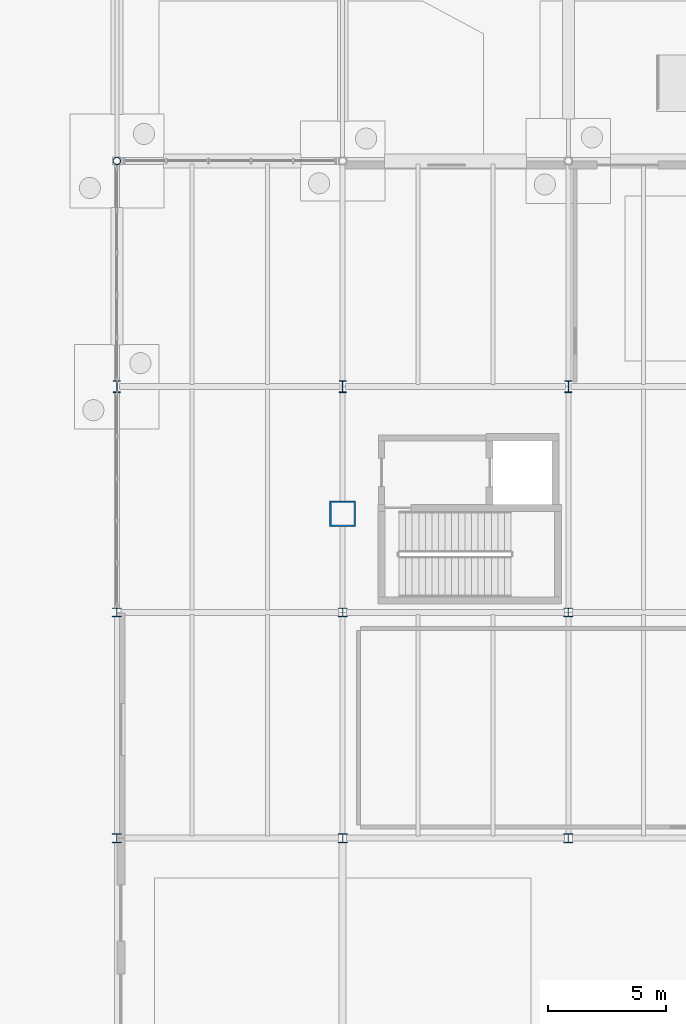
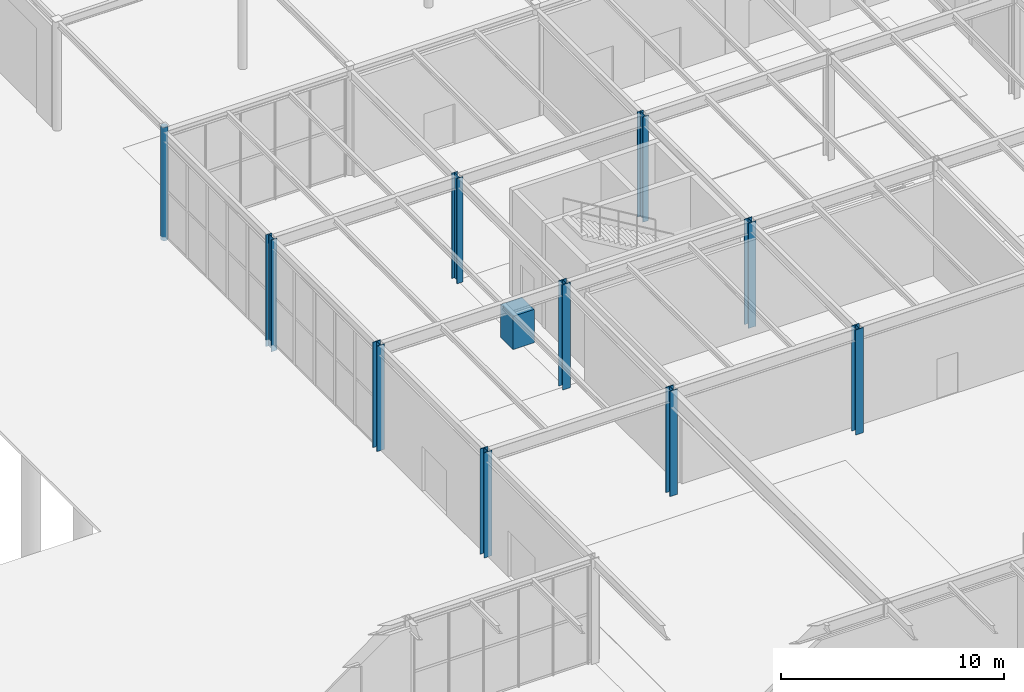
# One storey, part 15 of 142: 11 columns.
"""IFC4 building model written with IfcOpenShell, lengths in metres."""

from ifc_helpers import new_model, si_unit, direction, frame, origin, origin_2d, place, context, subcontext, project, spatial, rectangle, hollow_circle, i_section, extrude, material, material_profile, profile_set, type_object, element, save


model = new_model("IFC4")

# Units and contexts
model_context = context("Model", 3, precision=1e-05, world=origin(), true_north=direction((0.0, 1.0)))
body_context = subcontext(model_context, "Body", "Model", "MODEL_VIEW")
ifc_project = project(units=[si_unit("LENGTHUNIT", "METRE"), si_unit("AREAUNIT", "SQUARE_METRE"), si_unit("VOLUMEUNIT", "CUBIC_METRE"), si_unit("PLANEANGLEUNIT", "RADIAN"), si_unit("MASSUNIT", "GRAM", prefix="KILO")], contexts=[model_context])

# Site, building, storey
site_placement = place(None, origin())
site = spatial("IfcSite", under=ifc_project, at=site_placement, CompositionType="ELEMENT")
building_placement = place(site_placement, origin())
building = spatial("IfcBuilding", under=site, at=building_placement, Name="Coralgate Yard Interchange", CompositionType="ELEMENT")
storey_placement = place(building_placement, origin())
storey = spatial("IfcBuildingStorey", under=building, at=storey_placement, Name="L00", CompositionType="ELEMENT", Elevation=0.0)

# Columns
ifc_material_1 = material(Name="Concrete C40/50", Category="concrete")
ifc_material_profile_1 = material_profile(ifc_material_1, rectangle(XDim=1.10009765625, YDim=1.10009765625, at=origin_2d()), Name="RC 1100x1100")
ifc_profile_set_1 = profile_set([ifc_material_profile_1], Name="Concrete C40/50")
column_type_1 = type_object("IfcColumnType", Name="COL-CC-1", PredefinedType="COLUMN", material=ifc_profile_set_1)
column_1_placement = place(storey_placement, frame((48.0, 81.0, 0.0), z_axis=(0.0, 0.0, 1.0), x_axis=(1.0, 0.0, 0.0)))
element("IfcColumn", 1, at=column_1_placement, inside=storey, type_object=column_type_1, Name="Arch AR-1 N concrete thrust pedestal", PredefinedType="COLUMN", context=body_context, shape_type="SweptSolid", body=[
    extrude(rectangle(XDim=1.10009765625, YDim=1.10009765625, at=origin_2d()), origin(), (0.0, 0.0, 1.0), 1.820068359375),
])
ifc_material_2 = material(Name="Structural steel S355J2", Category="steel")
ifc_material_profile_2 = material_profile(ifc_material_2, i_section(OverallWidth=0.39892578125, OverallDepth=0.3935546875, WebThickness=0.022705078125, FlangeThickness=0.03662109375, FilletRadius=0.01513671875, at=origin_2d()), Name="UC 356x406x287")
ifc_profile_set_2 = profile_set([ifc_material_profile_2], Name="Structural steel S355J2")
column_type_2 = type_object("IfcColumnType", Name="COL-SC-1", PredefinedType="COLUMN", material=ifc_profile_set_2)
for number, where, z_axis, x_axis, name in (
    (2, (38.39990234375, 67.199951171875, 0.0), (0.0, 0.0, 1.0), (1.0, 0.0, 0.0), "L00 structural column 4-7"),
    (3, (38.39990234375, 76.800048828125, 0.0), (0.0, 0.0, 1.0), (1.0, 0.0, 0.0), "L00 structural column 4-8"),
    (4, (48.0, 67.199951171875, 0.0), (0.0, 0.0, 1.0), (1.0, 0.0, 0.0), "L00 structural column 5-7"),
    (5, (48.0, 76.800048828125, 0.0), (0.0, 0.0, 1.0), (1.0, 0.0, 0.0), "L00 structural column 5-8"),
    (6, (57.60009765625, 67.199951171875, 0.0), (0.0, 0.0, 1.0), (1.0, 0.0, 0.0), "L00 structural column 6-7"),
    (7, (57.60009765625, 76.800048828125, 0.0), (0.0, 0.0, 1.0), (1.0, 0.0, 0.0), "L00 structural column 6-8"),
):
    element("IfcColumn", number, at=place(storey_placement, frame(where, z_axis=z_axis, x_axis=x_axis)), inside=storey, type_object=column_type_2, Name=name, PredefinedType="COLUMN", context=body_context, shape_type="SweptSolid", body=[
        extrude(i_section(OverallWidth=0.39892578125, OverallDepth=0.3935546875, WebThickness=0.022705078125, FlangeThickness=0.03662109375, FilletRadius=0.01513671875, at=origin_2d()), origin(), (0.0, 0.0, 1.0), 5.75),
    ])
ifc_material_profile_3 = material_profile(ifc_material_2, i_section(OverallWidth=0.300048828125, OverallDepth=0.5, WebThickness=0.014404296875, FlangeThickness=0.028076171875, FilletRadius=0.027099609375, at=origin_2d()), Name="HEB 500")
ifc_profile_set_3 = profile_set([ifc_material_profile_3], Name="Structural steel S355J2")
column_type_3 = type_object("IfcColumnType", Name="COL-SC-10", PredefinedType="COLUMN", material=ifc_profile_set_3)
column_2_placement = place(storey_placement, frame((38.39990234375, 86.39990234375, -0.360107421875), z_axis=(0.0, 0.0, 1.0), x_axis=(1.0, 0.0, 0.0)))
element("IfcColumn", 8, at=column_2_placement, inside=storey, type_object=column_type_3, Name="L00 structural column 4-9", PredefinedType="COLUMN", context=body_context, shape_type="SweptSolid", body=[
    extrude(i_section(OverallWidth=0.300048828125, OverallDepth=0.5, WebThickness=0.014404296875, FlangeThickness=0.028076171875, FilletRadius=0.027099609375, at=origin_2d()), origin(), (0.0, 0.0, 1.0), 6.110107421875),
])
for number, where, z_axis, x_axis, name in (
    (9, (48.0, 86.39990234375, 0.0), (0.0, 0.0, 1.0), (1.0, 0.0, 0.0), "L00 structural column 5-9"),
    (10, (57.60009765625, 86.39990234375, 0.0), (0.0, 0.0, 1.0), (1.0, 0.0, 0.0), "L00 structural column 6-9"),
):
    element("IfcColumn", number, at=place(storey_placement, frame(where, z_axis=z_axis, x_axis=x_axis)), inside=storey, type_object=column_type_3, Name=name, PredefinedType="COLUMN", context=body_context, shape_type="SweptSolid", body=[
        extrude(i_section(OverallWidth=0.300048828125, OverallDepth=0.5, WebThickness=0.014404296875, FlangeThickness=0.028076171875, FilletRadius=0.027099609375, at=origin_2d()), origin(), (0.0, 0.0, 1.0), 5.75),
    ])
ifc_material_profile_4 = material_profile(ifc_material_2, hollow_circle(Radius=0.161865234375, WallThickness=0.012451171875, at=origin_2d()), Name="CHS 323.9x12.5")
ifc_profile_set_4 = profile_set([ifc_material_profile_4], Name="Structural steel S355J2")
column_type_4 = type_object("IfcColumnType", Name="COL-SC-13", PredefinedType="COLUMN", material=ifc_profile_set_4)
column_3_placement = place(storey_placement, frame((38.39990234375, 96.0, -0.199951171875), z_axis=(0.0, 0.0, 1.0), x_axis=(1.0, 0.0, 0.0)))
element("IfcColumn", 11, at=column_3_placement, inside=storey, type_object=column_type_4, Name="L00 wave-canopy steel column 4-10", PredefinedType="COLUMN", context=body_context, shape_type="SweptSolid", body=[
    extrude(hollow_circle(Radius=0.161865234375, WallThickness=0.012451171875, at=origin_2d()), origin(), (0.0, 0.0, 1.0), 6.199951171875),
])

save(model, "model.ifc")
